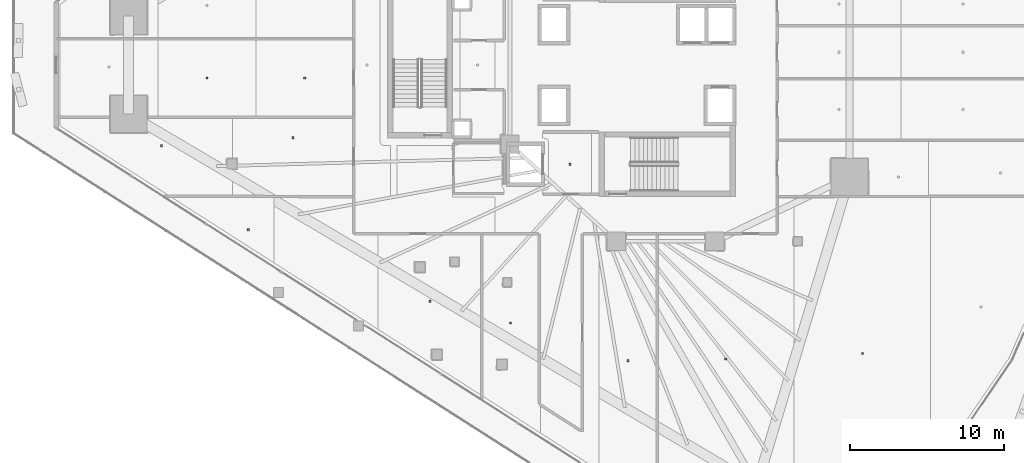
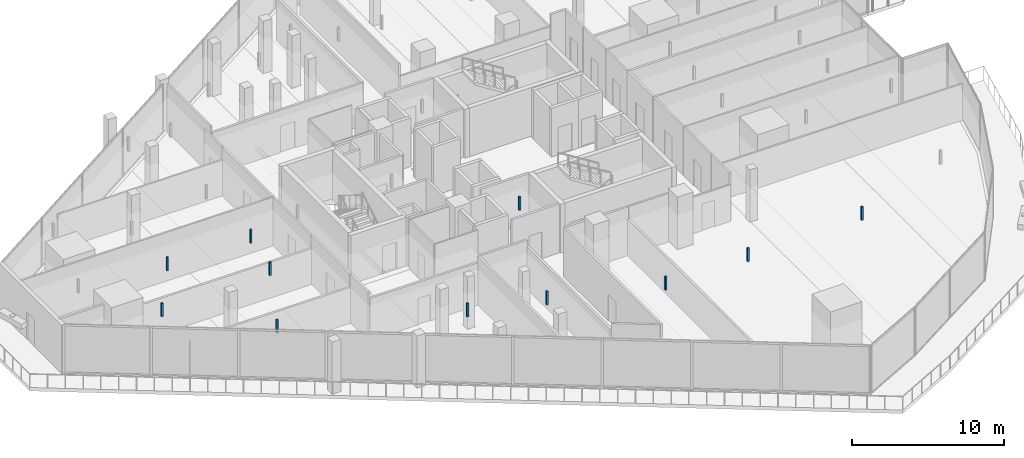
# One storey, part 31 of 44: 11 discrete accessories.
"""IFC4 building model written with IfcOpenShell, lengths in metres."""

from ifc_helpers import new_model, si_unit, direction, frame, origin, origin_2d, place, context, subcontext, project, spatial, rectangle, extrude, material, type_object, element, save


model = new_model("IFC4")

# Units and contexts
model_context = context("Model", 3, precision=1e-05, world=origin(), true_north=direction((0.0, 1.0)))
body_context = subcontext(model_context, "Body", "Model", "MODEL_VIEW")
ifc_project = project(units=[si_unit("LENGTHUNIT", "METRE"), si_unit("AREAUNIT", "SQUARE_METRE"), si_unit("VOLUMEUNIT", "CUBIC_METRE"), si_unit("PLANEANGLEUNIT", "RADIAN"), si_unit("MASSUNIT", "GRAM", prefix="KILO")], contexts=[model_context])

# Site, building, storey
site_placement = place(None, origin())
site = spatial("IfcSite", under=ifc_project, at=site_placement, CompositionType="ELEMENT")
building_placement = place(site_placement, origin())
building = spatial("IfcBuilding", under=site, at=building_placement, Name="Qorvath Tower", CompositionType="ELEMENT")
storey_placement = place(building_placement, frame((0.0, 0.0, 57.60009765625)))
storey = spatial("IfcBuildingStorey", under=building, at=storey_placement, Name="L12", CompositionType="ELEMENT", Elevation=57.60009765625)

# Discrete accessories
ifc_material = material(Name="Galvanised steel bracket", Category="steel")
discrete_accessory_type = type_object("IfcDiscreteAccessoryType", Name="DA-BRACKET", PredefinedType="BRACKET", material=ifc_material)
for number, where, z_axis, x_axis, name in (
    (1, (-26.590087890625, -6.449951171875, 2.85986328125), (0.0, 0.0, 1.0), (1.0, 0.0, 0.0), "Acoustic Ceiling Suspension Hanger T1-L12-002"),
    (2, (-47.518798828125, -10.7041015625, 2.85986328125), (0.0, 0.0, 1.0), (1.0, 0.0, 0.0), "Acoustic Ceiling Suspension Hanger T1-L12-021"),
    (3, (-35.707275390625, -15.348388671875, 2.85986328125), (0.0, 0.0, 1.0), (1.0, 0.0, 0.0), "Acoustic Ceiling Suspension Hanger T1-L12-023"),
    (4, (-30.46337890625, -16.776123046875, 2.85986328125), (0.0, 0.0, 1.0), (1.0, 0.0, 0.0), "Acoustic Ceiling Suspension Hanger T1-L12-024"),
    (5, (-22.83642578125, -19.225341796875, 2.85986328125), (0.0, 0.0, 1.0), (1.0, 0.0, 0.0), "Acoustic Ceiling Suspension Hanger T1-L12-026"),
    (6, (-16.481201171875, -19.09912109375, 2.85986328125), (0.0, 0.0, 1.0), (1.0, 0.0, 0.0), "Acoustic Ceiling Suspension Hanger T1-L12-027"),
    (7, (-7.59814453125, -18.740234375, 2.85986328125), (0.0, 0.0, 1.0), (1.0, 0.0, 0.0), "Acoustic Ceiling Suspension Hanger T1-L12-028"),
    (8, (-53.143310546875, -5.2470703125, 2.85986328125), (0.0, 0.0, 1.0), (1.0, 0.0, 0.0), "Acoustic Ceiling Suspension Hanger T1-L12-040"),
    (9, (-44.607177734375, -4.728271484375, 2.85986328125), (0.0, 0.0, 1.0), (1.0, 0.0, 0.0), "Acoustic Ceiling Suspension Hanger T1-L12-041"),
    (10, (-50.203125, -0.845947265625, 2.85986328125), (0.0, 0.0, 1.0), (1.0, 0.0, 0.0), "Acoustic Ceiling Suspension Hanger T1-L12-043"),
    (11, (-43.843017578125, -0.845947265625, 2.85986328125), (0.0, 0.0, 1.0), (1.0, 0.0, 0.0), "Acoustic Ceiling Suspension Hanger T1-L12-044"),
):
    element("IfcDiscreteAccessory", number, at=place(storey_placement, frame(where, z_axis=z_axis, x_axis=x_axis)), inside=storey, type_object=discrete_accessory_type, Name=name, PredefinedType="NOTDEFINED", context=body_context, shape_type="SweptSolid", body=[
        extrude(rectangle(XDim=0.139892578125, YDim=0.139892578125, at=origin_2d()), origin(), (0.0, 0.0, 1.0), 1.090087890625),
    ])

save(model, "model.ifc")
